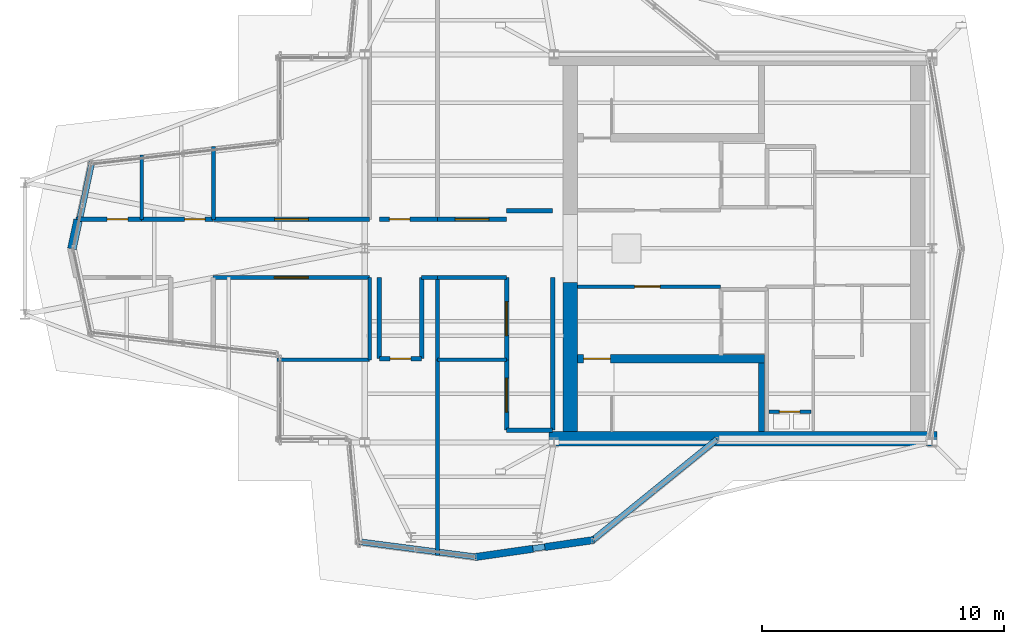
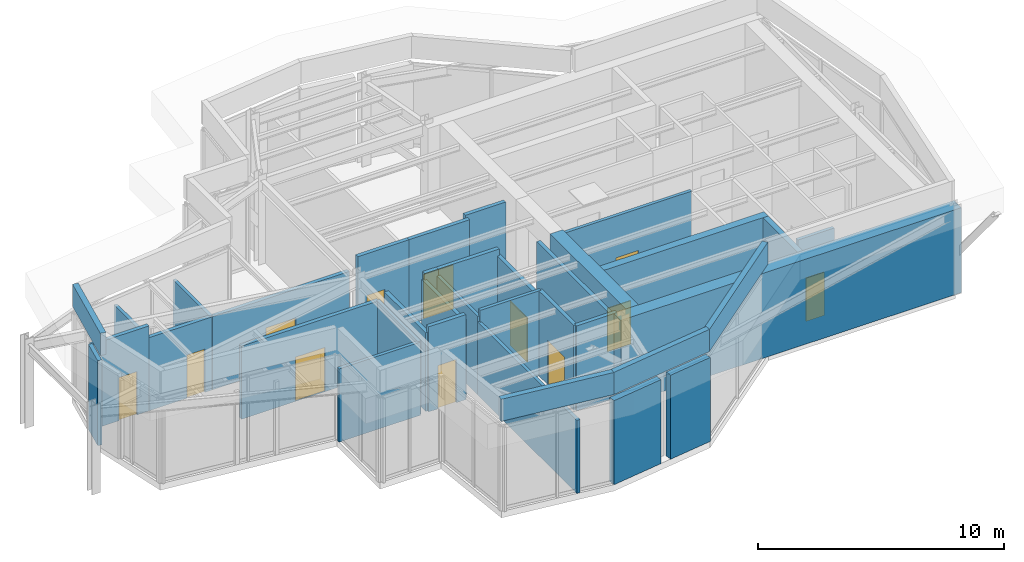
# One storey, part 9 of 11: 36 walls, 12 doors, 12 openings.
"""IFC4 building model written with IfcOpenShell, lengths in metres."""

from ifc_helpers import new_model, si_unit, direction, frame, frame_2d, origin, place, context, subcontext, project, spatial, rectangle, extrude, material, layer, layer_set, type_object, element, fill, save


model = new_model("IFC4")

# Units and contexts
model_context = context("Model", 3, precision=1e-05, world=origin(), true_north=direction((0.0, 1.0)))
body_context = subcontext(model_context, "Body", "Model", "MODEL_VIEW")
ifc_project = project(units=[si_unit("LENGTHUNIT", "METRE"), si_unit("AREAUNIT", "SQUARE_METRE"), si_unit("VOLUMEUNIT", "CUBIC_METRE"), si_unit("PLANEANGLEUNIT", "RADIAN"), si_unit("MASSUNIT", "GRAM", prefix="KILO")], contexts=[model_context])

# Site, building, storey
site_placement = place(None, origin())
site = spatial("IfcSite", under=ifc_project, at=site_placement, CompositionType="ELEMENT")
building_placement = place(site_placement, origin())
building = spatial("IfcBuilding", under=site, at=building_placement, Name="Veymaron Broadcast Tower", CompositionType="ELEMENT")
storey_placement = place(building_placement, frame((0.0, 0.0, 336.89990234375)))
storey = spatial("IfcBuildingStorey", under=building, at=storey_placement, Name="L79", CompositionType="ELEMENT", Elevation=336.89990234375)

# Walls
ifc_material_1 = material(Name="Precast concrete C40/50 with mineral-wool insulation", Category="concrete")
ifc_layer_1 = layer(ifc_material_1, 0.300048828125)
ifc_layer_set_1 = layer_set([ifc_layer_1], Name="Precast concrete C40/50 with mineral-wool insulation")
wall_type_1 = type_object("IfcWallType", Name="WALL-EXT-300", PredefinedType="STANDARD", material=ifc_layer_set_1)
wall_1_placement = place(storey_placement, frame((35.732177734375, 11.2666015625, 0.0), z_axis=(0.0, 0.0, 1.0), x_axis=(0.989917298502, 0.141646539412, 0.0)))
element("IfcWall", 1, at=wall_1_placement, inside=storey, type_object=wall_type_1, Name="L79 crown plant enclosure wall 19-1", PredefinedType="STANDARD", context=body_context, shape_type="SweptSolid", body=[
    extrude(rectangle(XDim=2.428466796875, YDim=0.300048828125, at=frame_2d((1.21435546875, 0.0))), origin(), (0.0, 0.0, 1.0), 4.170166015625),
])
wall_2_placement = place(storey_placement, frame((38.6279296875, 11.680908203125, 0.0), z_axis=(0.0, 0.0, 1.0), x_axis=(0.989904067126, 0.141738978007, 0.0)))
element("IfcWall", 2, at=wall_2_placement, inside=storey, type_object=wall_type_1, Name="L79 crown plant enclosure wall 19-2", PredefinedType="STANDARD", context=body_context, shape_type="SweptSolid", body=[
    extrude(rectangle(XDim=2.044677734375, YDim=0.300048828125, at=frame_2d((1.0224609375, 0.0))), origin(), (0.0, 0.0, 1.0), 4.170166015625),
])

# Wall, opening, door
ifc_material_2 = material(Name="Gypsum fireboard and steel stud framing", Category="steel")
ifc_layer_2 = layer(ifc_material_2, 0.14990234375)
ifc_layer_set_2 = layer_set([ifc_layer_2], Name="Gypsum fireboard and steel stud framing")
wall_type_2 = type_object("IfcWallType", Name="WALL-FIRE-150", PredefinedType="PARTITIONING", material=ifc_layer_set_2)
wall_3_placement = place(storey_placement, frame((39.97998046875, 22.425048828125, 0.0), z_axis=(0.0, 0.0, 1.0), x_axis=(1.0, 0.0, 0.0)))
wall_3 = element("IfcWall", 3, at=wall_3_placement, inside=storey, type_object=wall_type_2, Name="L79 partition IW-L79-FFLS-N", PredefinedType="PARTITIONING", context=body_context, shape_type="SweptSolid", body=[
    extrude(rectangle(XDim=5.89990234375, YDim=0.14990234375, at=frame_2d((2.949951171875, 0.0))), origin(), (0.0, 0.0, 1.0), 4.22021484375),
])
opening_1_placement = place(wall_3_placement, frame((2.35009765625, 0.0, 0.0)))
opening_1 = element("IfcOpeningElement", 4, at=opening_1_placement, cuts=wall_3, Name="Opening ID-FL1", PredefinedType="OPENING", context=body_context, shape_type="SweptSolid", body=[
    extrude(rectangle(XDim=1.050048828125, YDim=2.14990234375, at=frame_2d((0.52490234375, 1.074951171875))), frame((0.0, 0.0849609375, 0.0), z_axis=(0.0, -1.0, 0.0), x_axis=(1.0, 0.0, 0.0)), (0.0, 0.0, 1.0), 0.169921875),
])
ifc_material_3 = material(Name="Fire-rated painted hollow steel ASTM A653", Category="steel")
door_type_1 = type_object("IfcDoorType", Name="DOOR-FIRE-1050", OperationType="NOTDEFINED", PredefinedType="DOOR", material=ifc_material_3)
door_1_placement = place(opening_1_placement, frame((1.050048828125, 0.0, 0.0), z_axis=(0.0, 0.0, 1.0), x_axis=(-1.0, 0.0, 0.0)))
door_1 = element("IfcDoor", 5, at=door_1_placement, inside=storey, type_object=door_type_1, Name="L79 door DR-L79-FFLS", OperationType="SINGLE_SWING_RIGHT", OverallHeight=2.14990234375, OverallWidth=1.050048828125, PredefinedType="DOOR", context=body_context, shape_type="SweptSolid", body=[
    extrude(rectangle(XDim=1.050048828125, YDim=2.14990234375, at=frame_2d((0.52490234375, 1.074951171875))), frame((0.0, 0.02490234375, 0.0), z_axis=(0.0, -1.0, 0.0), x_axis=(1.0, 0.0, 0.0)), (0.0, 0.0, 1.0), 0.050048828125),
])
fill(opening_1, door_1)

wall_4_placement = place(storey_placement, frame((47.8798828125, 17.260009765625, 0.0), z_axis=(0.0, 0.0, 1.0), x_axis=(1.0, 0.0, 0.0)))
wall_4 = element("IfcWall", 6, at=wall_4_placement, inside=storey, type_object=wall_type_2, Name="L79 partition IW-L79-RIS-N", PredefinedType="PARTITIONING", context=body_context, shape_type="SweptSolid", body=[
    extrude(rectangle(XDim=1.72021484375, YDim=0.14990234375, at=frame_2d((0.860107421875, 0.0))), origin(), (0.0, 0.0, 1.0), 4.22021484375),
])
opening_2_placement = place(wall_4_placement, frame((0.419921875, 0.0, 0.0)))
opening_2 = element("IfcOpeningElement", 7, at=opening_2_placement, cuts=wall_4, Name="Opening ID-RS1", PredefinedType="OPENING", context=body_context, shape_type="SweptSolid", body=[
    extrude(rectangle(XDim=0.85009765625, YDim=2.14990234375, at=frame_2d((0.425048828125, 1.074951171875))), frame((0.0, 0.0849609375, 0.0), z_axis=(0.0, -1.0, 0.0), x_axis=(1.0, 0.0, 0.0)), (0.0, 0.0, 1.0), 0.169921875),
])
ifc_material_4 = material(Name="Fire-rated powder-coated steel riser leaf", Category="steel")
door_type_2 = type_object("IfcDoorType", Name="DOOR-RIS-850", OperationType="NOTDEFINED", PredefinedType="TRAPDOOR", material=ifc_material_4)
door_2_placement = place(opening_2_placement, origin())
door_2 = element("IfcDoor", 8, at=door_2_placement, inside=storey, type_object=door_type_2, Name="L79 door DR-L79-RIS", OperationType="SINGLE_SWING_LEFT", OverallHeight=2.14990234375, OverallWidth=0.85009765625, PredefinedType="TRAPDOOR", context=body_context, shape_type="SweptSolid", body=[
    extrude(rectangle(XDim=0.85009765625, YDim=2.14990234375, at=frame_2d((0.425048828125, 1.074951171875))), frame((0.0, 0.02490234375, 0.0), z_axis=(0.0, -1.0, 0.0), x_axis=(1.0, 0.0, 0.0)), (0.0, 0.0, 1.0), 0.050048828125),
])
fill(opening_2, door_2)

ifc_material_5 = material(Name="Concrete C40/50", Category="concrete")
ifc_layer_3 = layer(ifc_material_5, 0.179931640625)
ifc_layer_set_3 = layer_set([ifc_layer_3], Name="Concrete C40/50")
wall_type_3 = type_object("IfcWallType", Name="WALL-FIRE-180", PredefinedType="SOLIDWALL", material=ifc_layer_set_3)
wall_5_placement = place(storey_placement, frame((37.050048828125, 16.5, 0.0), z_axis=(0.0, 0.0, 1.0), x_axis=(0.0, 1.0, 0.0)))
wall_5 = element("IfcWall", 9, at=wall_5_placement, inside=storey, type_object=wall_type_3, Name="L79 partition IW-L79-P02", PredefinedType="SOLIDWALL", context=body_context, shape_type="SweptSolid", body=[
    extrude(rectangle(XDim=2.89990234375, YDim=0.179931640625, at=frame_2d((1.449951171875, 0.0))), origin(), (0.0, 0.0, 1.0), 4.22021484375),
])
opening_3_placement = place(wall_5_placement, frame((0.75, 0.0, 0.0)))
opening_3 = element("IfcOpeningElement", 10, at=opening_3_placement, cuts=wall_5, Name="Opening ID-PL1", PredefinedType="OPENING", context=body_context, shape_type="SweptSolid", body=[
    extrude(rectangle(XDim=1.39990234375, YDim=2.199951171875, at=frame_2d((0.699951171875, 1.10009765625))), frame((0.0, 0.10009765625, 0.0), z_axis=(0.0, -1.0, 0.0), x_axis=(1.0, 0.0, 0.0)), (0.0, 0.0, 1.0), 0.199951171875),
])
ifc_material_6 = material(Name="Heavy-duty acoustic galvanized steel", Category="steel")
door_type_3 = type_object("IfcDoorType", Name="DOOR-PLANT-1400", OperationType="DOUBLE_DOOR_SINGLE_SWING", PredefinedType="DOOR", material=ifc_material_6)
door_3_placement = place(opening_3_placement, origin())
door_3 = element("IfcDoor", 11, at=door_3_placement, inside=storey, type_object=door_type_3, Name="L79 door DR-L79-P02", OperationType="SINGLE_SWING_LEFT", OverallHeight=2.199951171875, OverallWidth=1.39990234375, PredefinedType="DOOR", context=body_context, shape_type="SweptSolid", body=[
    extrude(rectangle(XDim=1.39990234375, YDim=2.199951171875, at=frame_2d((0.699951171875, 1.10009765625))), frame((0.0, 0.02490234375, 0.0), z_axis=(0.0, -1.0, 0.0), x_axis=(1.0, 0.0, 0.0)), (0.0, 0.0, 1.0), 0.050048828125),
])
fill(opening_3, door_3)

wall_6_placement = place(storey_placement, frame((31.800048828125, 19.449951171875, 0.0), z_axis=(0.0, 0.0, 1.0), x_axis=(1.0, 0.0, 0.0)))
wall_6 = element("IfcWall", 12, at=wall_6_placement, inside=storey, type_object=wall_type_3, Name="L79 partition IW-L79-P06", PredefinedType="SOLIDWALL", context=body_context, shape_type="SweptSolid", body=[
    extrude(rectangle(XDim=1.75, YDim=0.179931640625, at=frame_2d((0.875, 0.0))), origin(), (0.0, 0.0, 1.0), 4.22021484375),
])
opening_4_placement = place(wall_6_placement, frame((0.449951171875, 0.0, 0.0)))
opening_4 = element("IfcOpeningElement", 13, at=opening_4_placement, cuts=wall_6, Name="Opening ID-WC1", PredefinedType="OPENING", context=body_context, shape_type="SweptSolid", body=[
    extrude(rectangle(XDim=0.85009765625, YDim=2.14990234375, at=frame_2d((0.425048828125, 1.074951171875))), frame((0.0, 0.10009765625, 0.0), z_axis=(0.0, -1.0, 0.0), x_axis=(1.0, 0.0, 0.0)), (0.0, 0.0, 1.0), 0.199951171875),
])
ifc_material_7 = material(Name="Moisture-resistant high-pressure laminate timber", Category="wood")
door_type_4 = type_object("IfcDoorType", Name="DOOR-INT-850", OperationType="NOTDEFINED", PredefinedType="DOOR", material=ifc_material_7)
door_4_placement = place(opening_4_placement, frame((0.85009765625, 0.0, 0.0), z_axis=(0.0, 0.0, 1.0), x_axis=(-1.0, 0.0, 0.0)))
door_4 = element("IfcDoor", 14, at=door_4_placement, inside=storey, type_object=door_type_4, Name="L79 door DR-L79-P06", OperationType="SINGLE_SWING_LEFT", OverallHeight=2.14990234375, OverallWidth=0.85009765625, PredefinedType="DOOR", context=body_context, shape_type="SweptSolid", body=[
    extrude(rectangle(XDim=0.85009765625, YDim=2.14990234375, at=frame_2d((0.425048828125, 1.074951171875))), frame((0.0, 0.02490234375, 0.0), z_axis=(0.0, -1.0, 0.0), x_axis=(1.0, 0.0, 0.0)), (0.0, 0.0, 1.0), 0.050048828125),
])
fill(opening_4, door_4)

wall_7_placement = place(storey_placement, frame((37.050048828125, 19.39990234375, 0.0), z_axis=(0.0, 0.0, 1.0), x_axis=(0.0, 1.0, 0.0)))
wall_7 = element("IfcWall", 15, at=wall_7_placement, inside=storey, type_object=wall_type_3, Name="L79 partition IW-L79-P08", PredefinedType="SOLIDWALL", context=body_context, shape_type="SweptSolid", body=[
    extrude(rectangle(XDim=3.400146484375, YDim=0.179931640625, at=frame_2d((1.7001953125, 0.0))), origin(), (0.0, 0.0, 1.0), 3.900146484375),
])
opening_5_placement = place(wall_7_placement, frame((1.0, 0.0, 0.0)))
opening_5 = element("IfcOpeningElement", 16, at=opening_5_placement, cuts=wall_7, Name="Opening ID-PL1", PredefinedType="OPENING", context=body_context, shape_type="SweptSolid", body=[
    extrude(rectangle(XDim=1.39990234375, YDim=2.199951171875, at=frame_2d((0.699951171875, 1.10009765625))), frame((0.0, 0.10009765625, 0.0), z_axis=(0.0, -1.0, 0.0), x_axis=(1.0, 0.0, 0.0)), (0.0, 0.0, 1.0), 0.199951171875),
])
door_5_placement = place(opening_5_placement, origin())
door_5 = element("IfcDoor", 17, at=door_5_placement, inside=storey, type_object=door_type_3, Name="L79 door DR-L79-P08", OperationType="SINGLE_SWING_LEFT", OverallHeight=2.199951171875, OverallWidth=1.39990234375, PredefinedType="DOOR", context=body_context, shape_type="SweptSolid", body=[
    extrude(rectangle(XDim=1.39990234375, YDim=2.199951171875, at=frame_2d((0.699951171875, 1.10009765625))), frame((0.0, 0.02490234375, 0.0), z_axis=(0.0, -1.0, 0.0), x_axis=(1.0, 0.0, 0.0)), (0.0, 0.0, 1.0), 0.050048828125),
])
fill(opening_5, door_5)

wall_8_placement = place(storey_placement, frame((24.949951171875, 22.800048828125, 0.0), z_axis=(0.0, 0.0, 1.0), x_axis=(1.0, 0.0, 0.0)))
wall_8 = element("IfcWall", 18, at=wall_8_placement, inside=storey, type_object=wall_type_3, Name="L79 partition IW-L79-P10", PredefinedType="SOLIDWALL", context=body_context, shape_type="SweptSolid", body=[
    extrude(rectangle(XDim=6.449951171875, YDim=0.179931640625, at=frame_2d((3.22509765625, 0.0))), origin(), (0.0, 0.0, 1.0), 3.630126953125),
])
opening_6_placement = place(wall_8_placement, frame((2.52490234375, 0.0, 0.0)))
opening_6 = element("IfcOpeningElement", 19, at=opening_6_placement, cuts=wall_8, Name="Opening ID-PL1", PredefinedType="OPENING", context=body_context, shape_type="SweptSolid", body=[
    extrude(rectangle(XDim=1.39990234375, YDim=2.199951171875, at=frame_2d((0.699951171875, 1.10009765625))), frame((0.0, 0.10009765625, 0.0), z_axis=(0.0, -1.0, 0.0), x_axis=(1.0, 0.0, 0.0)), (0.0, 0.0, 1.0), 0.199951171875),
])
door_6_placement = place(opening_6_placement, frame((1.39990234375, 0.0, 0.0), z_axis=(0.0, 0.0, 1.0), x_axis=(-1.0, 0.0, 0.0)))
door_6 = element("IfcDoor", 20, at=door_6_placement, inside=storey, type_object=door_type_3, Name="L79 door DR-L79-P10", OperationType="SINGLE_SWING_LEFT", OverallHeight=2.199951171875, OverallWidth=1.39990234375, PredefinedType="DOOR", context=body_context, shape_type="SweptSolid", body=[
    extrude(rectangle(XDim=1.39990234375, YDim=2.199951171875, at=frame_2d((0.699951171875, 1.10009765625))), frame((0.0, 0.02490234375, 0.0), z_axis=(0.0, -1.0, 0.0), x_axis=(1.0, 0.0, 0.0)), (0.0, 0.0, 1.0), 0.050048828125),
])
fill(opening_6, door_6)

wall_9_placement = place(storey_placement, frame((19.288330078125, 25.199951171875, 0.0), z_axis=(0.0, 0.0, 1.0), x_axis=(1.0, 0.0, 0.0)))
wall_9 = element("IfcWall", 21, at=wall_9_placement, inside=storey, type_object=wall_type_3, Name="L79 partition IW-L79-P15", PredefinedType="SOLIDWALL", context=body_context, shape_type="SweptSolid", body=[
    extrude(rectangle(XDim=2.711669921875, YDim=0.179931640625, at=frame_2d((1.35595703125, 0.0))), origin(), (0.0, 0.0, 1.0), 4.22021484375),
])
opening_7_placement = place(wall_9_placement, frame((1.291015625, 0.0, 0.0)))
opening_7 = element("IfcOpeningElement", 22, at=opening_7_placement, cuts=wall_9, Name="Opening ID-WC1", PredefinedType="OPENING", context=body_context, shape_type="SweptSolid", body=[
    extrude(rectangle(XDim=0.85009765625, YDim=2.14990234375, at=frame_2d((0.425048828125, 1.074951171875))), frame((0.0, 0.10009765625, 0.0), z_axis=(0.0, -1.0, 0.0), x_axis=(1.0, 0.0, 0.0)), (0.0, 0.0, 1.0), 0.199951171875),
])
door_7_placement = place(opening_7_placement, origin())
door_7 = element("IfcDoor", 23, at=door_7_placement, inside=storey, type_object=door_type_4, Name="L79 door DR-L79-P15", OperationType="SINGLE_SWING_RIGHT", OverallHeight=2.14990234375, OverallWidth=0.85009765625, PredefinedType="DOOR", context=body_context, shape_type="SweptSolid", body=[
    extrude(rectangle(XDim=0.85009765625, YDim=2.14990234375, at=frame_2d((0.425048828125, 1.074951171875))), frame((0.0, 0.02490234375, 0.0), z_axis=(0.0, -1.0, 0.0), x_axis=(1.0, 0.0, 0.0)), (0.0, 0.0, 1.0), 0.050048828125),
])
fill(opening_7, door_7)

wall_10_placement = place(storey_placement, frame((22.0, 25.199951171875, 0.0), z_axis=(0.0, 0.0, 1.0), x_axis=(1.0, 0.0, 0.0)))
wall_10 = element("IfcWall", 24, at=wall_10_placement, inside=storey, type_object=wall_type_3, Name="L79 partition IW-L79-P17", PredefinedType="SOLIDWALL", context=body_context, shape_type="SweptSolid", body=[
    extrude(rectangle(XDim=2.949951171875, YDim=0.179931640625, at=frame_2d((1.47509765625, 0.0))), origin(), (0.0, 0.0, 1.0), 3.630126953125),
])
opening_8_placement = place(wall_10_placement, frame((1.77001953125, 0.0, 0.0)))
opening_8 = element("IfcOpeningElement", 25, at=opening_8_placement, cuts=wall_10, Name="Opening ID-WC1", PredefinedType="OPENING", context=body_context, shape_type="SweptSolid", body=[
    extrude(rectangle(XDim=0.85009765625, YDim=2.14990234375, at=frame_2d((0.425048828125, 1.074951171875))), frame((0.0, 0.10009765625, 0.0), z_axis=(0.0, -1.0, 0.0), x_axis=(1.0, 0.0, 0.0)), (0.0, 0.0, 1.0), 0.199951171875),
])
door_8_placement = place(opening_8_placement, origin())
door_8 = element("IfcDoor", 26, at=door_8_placement, inside=storey, type_object=door_type_4, Name="L79 door DR-L79-P17", OperationType="SINGLE_SWING_RIGHT", OverallHeight=2.14990234375, OverallWidth=0.85009765625, PredefinedType="DOOR", context=body_context, shape_type="SweptSolid", body=[
    extrude(rectangle(XDim=0.85009765625, YDim=2.14990234375, at=frame_2d((0.425048828125, 1.074951171875))), frame((0.0, 0.02490234375, 0.0), z_axis=(0.0, -1.0, 0.0), x_axis=(1.0, 0.0, 0.0)), (0.0, 0.0, 1.0), 0.050048828125),
])
fill(opening_8, door_8)

wall_11_placement = place(storey_placement, frame((24.9599609375, 25.199951171875, 0.0), z_axis=(0.0, 0.0, 1.0), x_axis=(1.0, 0.0, 0.0)))
wall_11 = element("IfcWall", 27, at=wall_11_placement, inside=storey, type_object=wall_type_3, Name="L79 partition IW-L79-P18", PredefinedType="SOLIDWALL", context=body_context, shape_type="SweptSolid", body=[
    extrude(rectangle(XDim=6.43994140625, YDim=0.179931640625, at=frame_2d((3.219970703125, 0.0))), origin(), (0.0, 0.0, 1.0), 3.630126953125),
])
opening_9_placement = place(wall_11_placement, frame((2.52001953125, 0.0, 0.0)))
opening_9 = element("IfcOpeningElement", 28, at=opening_9_placement, cuts=wall_11, Name="Opening ID-PL1", PredefinedType="OPENING", context=body_context, shape_type="SweptSolid", body=[
    extrude(rectangle(XDim=1.39990234375, YDim=2.199951171875, at=frame_2d((0.699951171875, 1.10009765625))), frame((0.0, 0.10009765625, 0.0), z_axis=(0.0, -1.0, 0.0), x_axis=(1.0, 0.0, 0.0)), (0.0, 0.0, 1.0), 0.199951171875),
])
door_9_placement = place(opening_9_placement, origin())
door_9 = element("IfcDoor", 29, at=door_9_placement, inside=storey, type_object=door_type_3, Name="L79 door DR-L79-P18", OperationType="SINGLE_SWING_LEFT", OverallHeight=2.199951171875, OverallWidth=1.39990234375, PredefinedType="DOOR", context=body_context, shape_type="SweptSolid", body=[
    extrude(rectangle(XDim=1.39990234375, YDim=2.199951171875, at=frame_2d((0.699951171875, 1.10009765625))), frame((0.0, 0.02490234375, 0.0), z_axis=(0.0, -1.0, 0.0), x_axis=(1.0, 0.0, 0.0)), (0.0, 0.0, 1.0), 0.050048828125),
])
fill(opening_9, door_9)

wall_12_placement = place(storey_placement, frame((31.800048828125, 25.199951171875, 0.0), z_axis=(0.0, 0.0, 1.0), x_axis=(1.0, 0.0, 0.0)))
wall_12 = element("IfcWall", 30, at=wall_12_placement, inside=storey, type_object=wall_type_3, Name="L79 partition IW-L79-P19", PredefinedType="SOLIDWALL", context=body_context, shape_type="SweptSolid", body=[
    extrude(rectangle(XDim=2.39990234375, YDim=0.179931640625, at=frame_2d((1.199951171875, 0.0))), origin(), (0.0, 0.0, 1.0), 4.22021484375),
])
opening_10_placement = place(wall_12_placement, frame((0.4150390625, 0.0, 0.0)))
opening_10 = element("IfcOpeningElement", 31, at=opening_10_placement, cuts=wall_12, Name="Opening ID-WC1", PredefinedType="OPENING", context=body_context, shape_type="SweptSolid", body=[
    extrude(rectangle(XDim=0.85009765625, YDim=2.14990234375, at=frame_2d((0.425048828125, 1.074951171875))), frame((0.0, 0.10009765625, 0.0), z_axis=(0.0, -1.0, 0.0), x_axis=(1.0, 0.0, 0.0)), (0.0, 0.0, 1.0), 0.199951171875),
])
door_10_placement = place(opening_10_placement, origin())
door_10 = element("IfcDoor", 32, at=door_10_placement, inside=storey, type_object=door_type_4, Name="L79 door DR-L79-P19", OperationType="SINGLE_SWING_RIGHT", OverallHeight=2.14990234375, OverallWidth=0.85009765625, PredefinedType="DOOR", context=body_context, shape_type="SweptSolid", body=[
    extrude(rectangle(XDim=0.85009765625, YDim=2.14990234375, at=frame_2d((0.425048828125, 1.074951171875))), frame((0.0, 0.02490234375, 0.0), z_axis=(0.0, -1.0, 0.0), x_axis=(1.0, 0.0, 0.0)), (0.0, 0.0, 1.0), 0.050048828125),
])
fill(opening_10, door_10)

wall_13_placement = place(storey_placement, frame((34.199951171875, 25.199951171875, 0.0), z_axis=(0.0, 0.0, 1.0), x_axis=(1.0, 0.0, 0.0)))
wall_13 = element("IfcWall", 33, at=wall_13_placement, inside=storey, type_object=wall_type_3, Name="L79 partition IW-L79-P20", PredefinedType="SOLIDWALL", context=body_context, shape_type="SweptSolid", body=[
    extrude(rectangle(XDim=2.85009765625, YDim=0.179931640625, at=frame_2d((1.425048828125, 0.0))), origin(), (0.0, 0.0, 1.0), 4.22021484375),
])
opening_11_placement = place(wall_13_placement, frame((0.72509765625, 0.0, 0.0)))
opening_11 = element("IfcOpeningElement", 34, at=opening_11_placement, cuts=wall_13, Name="Opening ID-PL1", PredefinedType="OPENING", context=body_context, shape_type="SweptSolid", body=[
    extrude(rectangle(XDim=1.39990234375, YDim=2.199951171875, at=frame_2d((0.699951171875, 1.10009765625))), frame((0.0, 0.10009765625, 0.0), z_axis=(0.0, -1.0, 0.0), x_axis=(1.0, 0.0, 0.0)), (0.0, 0.0, 1.0), 0.199951171875),
])
door_11_placement = place(opening_11_placement, origin())
door_11 = element("IfcDoor", 35, at=door_11_placement, inside=storey, type_object=door_type_3, Name="L79 door DR-L79-P20", OperationType="SINGLE_SWING_LEFT", OverallHeight=2.199951171875, OverallWidth=1.39990234375, PredefinedType="DOOR", context=body_context, shape_type="SweptSolid", body=[
    extrude(rectangle(XDim=1.39990234375, YDim=2.199951171875, at=frame_2d((0.699951171875, 1.10009765625))), frame((0.0, 0.02490234375, 0.0), z_axis=(0.0, -1.0, 0.0), x_axis=(1.0, 0.0, 0.0)), (0.0, 0.0, 1.0), 0.050048828125),
])
fill(opening_11, door_11)

# Walls
wall_14_placement = place(storey_placement, frame((38.949951171875, 16.5, 0.0), z_axis=(0.0, 0.0, 1.0), x_axis=(0.0, 1.0, 0.0)))
element("IfcWall", 36, at=wall_14_placement, inside=storey, type_object=wall_type_3, Name="L79 partition IW-L79-P01", PredefinedType="SOLIDWALL", context=body_context, shape_type="SweptSolid", body=[
    extrude(rectangle(XDim=6.300048828125, YDim=0.179931640625, at=frame_2d((3.14990234375, 0.0))), origin(), (0.0, 0.0, 1.0), 3.900146484375),
])
wall_15_placement = place(storey_placement, frame((37.050048828125, 16.5, 0.0), z_axis=(0.0, 0.0, 1.0), x_axis=(1.0, 0.0, 0.0)))
element("IfcWall", 37, at=wall_15_placement, inside=storey, type_object=wall_type_3, Name="L79 partition IW-L79-P03", PredefinedType="SOLIDWALL", context=body_context, shape_type="SweptSolid", body=[
    extrude(rectangle(XDim=1.89990234375, YDim=0.179931640625, at=frame_2d((0.949951171875, 0.0))), origin(), (0.0, 0.0, 1.0), 4.22021484375),
])
for number, where, z_axis, x_axis, name in (
    (38, (33.550048828125, 19.449951171875, 0.0), (0.0, 0.0, 1.0), (0.0, 1.0, 0.0), "L79 partition IW-L79-P04"),
    (39, (31.800048828125, 19.449951171875, 0.0), (0.0, 0.0, 1.0), (0.0, 1.0, 0.0), "L79 partition IW-L79-P05"),
):
    element("IfcWall", number, at=place(storey_placement, frame(where, z_axis=z_axis, x_axis=x_axis)), inside=storey, type_object=wall_type_3, Name=name, PredefinedType="SOLIDWALL", context=body_context, shape_type="SweptSolid", body=[
        extrude(rectangle(XDim=3.35009765625, YDim=0.179931640625, at=frame_2d((1.675048828125, 0.0))), origin(), (0.0, 0.0, 1.0), 3.900146484375),
    ])
wall_16_placement = place(storey_placement, frame((33.550048828125, 22.800048828125, 0.0), z_axis=(0.0, 0.0, 1.0), x_axis=(1.0, 0.0, 0.0)))
element("IfcWall", 40, at=wall_16_placement, inside=storey, type_object=wall_type_3, Name="L79 partition IW-L79-P07", PredefinedType="SOLIDWALL", context=body_context, shape_type="SweptSolid", body=[
    extrude(rectangle(XDim=0.64990234375, YDim=0.179931640625, at=frame_2d((0.324951171875, 0.0))), origin(), (0.0, 0.0, 1.0), 4.22021484375),
])
wall_17_placement = place(storey_placement, frame((34.199951171875, 22.800048828125, 0.0), z_axis=(0.0, 0.0, 1.0), x_axis=(1.0, 0.0, 0.0)))
element("IfcWall", 41, at=wall_17_placement, inside=storey, type_object=wall_type_3, Name="L79 partition IW-L79-P09", PredefinedType="SOLIDWALL", context=body_context, shape_type="SweptSolid", body=[
    extrude(rectangle(XDim=2.85009765625, YDim=0.179931640625, at=frame_2d((1.425048828125, 0.0))), origin(), (0.0, 0.0, 1.0), 4.22021484375),
])
wall_18_placement = place(storey_placement, frame((19.031982421875, 24.0, 0.0), z_axis=(0.0, 0.0, 1.0), x_axis=(0.208917581669, 0.977933251336, 0.0)))
element("IfcWall", 42, at=wall_18_placement, inside=storey, type_object=wall_type_3, Name="L79 partition IW-L79-P16", PredefinedType="SOLIDWALL", context=body_context, shape_type="SweptSolid", body=[
    extrude(rectangle(XDim=1.22705078125, YDim=0.179931640625, at=frame_2d((0.613525390625, 0.0))), origin(), (0.0, 0.0, 1.0), 4.22021484375),
])
wall_19_placement = place(storey_placement, frame((37.050048828125, 25.550048828125, 0.0), z_axis=(0.0, 0.0, 1.0), x_axis=(1.0, 0.0, 0.0)))
element("IfcWall", 43, at=wall_19_placement, inside=storey, type_object=wall_type_3, Name="L79 partition IW-L79-P21", PredefinedType="SOLIDWALL", context=body_context, shape_type="SweptSolid", body=[
    extrude(rectangle(XDim=1.89990234375, YDim=0.179931640625, at=frame_2d((0.949951171875, 0.0))), origin(), (0.0, 0.0, 1.0), 4.22021484375),
])
ifc_material_8 = material(Name="Fire-rated laminated glass in aluminium frame", Category="aluminium")
ifc_layer_4 = layer(ifc_material_8, 0.14990234375)
ifc_layer_set_4 = layer_set([ifc_layer_4], Name="Fire-rated laminated glass in aluminium frame")
wall_type_4 = type_object("IfcWallType", Name="WALL-GLZ-150", PredefinedType="MOVABLE", material=ifc_layer_set_4)
wall_20_placement = place(storey_placement, frame((34.199951171875, 11.329833984375, 0.0), z_axis=(0.0, 0.0, 1.0), x_axis=(0.0, 1.0, 0.0)))
element("IfcWall", 44, at=wall_20_placement, inside=storey, type_object=wall_type_4, Name="L79 partition IW-L79-P22", PredefinedType="MOVABLE", context=body_context, shape_type="SweptSolid", body=[
    extrude(rectangle(XDim=8.070068359375, YDim=0.14990234375, at=frame_2d((4.03515625, 0.0))), origin(), (0.0, 0.0, 1.0), 3.630126953125),
])
wall_21_placement = place(storey_placement, frame((34.199951171875, 19.39990234375, 0.0), z_axis=(0.0, 0.0, 1.0), x_axis=(1.0, 0.0, 0.0)))
element("IfcWall", 45, at=wall_21_placement, inside=storey, type_object=wall_type_4, Name="L79 partition IW-L79-P23", PredefinedType="MOVABLE", context=body_context, shape_type="SweptSolid", body=[
    extrude(rectangle(XDim=2.85009765625, YDim=0.14990234375, at=frame_2d((1.425048828125, 0.0))), origin(), (0.0, 0.0, 1.0), 4.22021484375),
])
wall_22_placement = place(storey_placement, frame((34.199951171875, 19.39990234375, 0.0), z_axis=(0.0, 0.0, 1.0), x_axis=(0.0, 1.0, 0.0)))
element("IfcWall", 46, at=wall_22_placement, inside=storey, type_object=wall_type_4, Name="L79 partition IW-L79-P24", PredefinedType="MOVABLE", context=body_context, shape_type="SweptSolid", body=[
    extrude(rectangle(XDim=3.400146484375, YDim=0.14990234375, at=frame_2d((1.7001953125, 0.0))), origin(), (0.0, 0.0, 1.0), 3.900146484375),
])
wall_23_placement = place(storey_placement, frame((27.575927734375, 19.39990234375, 0.0), z_axis=(0.0, 0.0, 1.0), x_axis=(1.0, 0.0, 0.0)))
element("IfcWall", 47, at=wall_23_placement, inside=storey, type_object=wall_type_4, Name="L79 partition IW-L79-P25", PredefinedType="MOVABLE", context=body_context, shape_type="SweptSolid", body=[
    extrude(rectangle(XDim=3.823974609375, YDim=0.14990234375, at=frame_2d((1.912109375, 0.0))), origin(), (0.0, 0.0, 1.0), 3.630126953125),
])
wall_24_placement = place(storey_placement, frame((31.39990234375, 19.39990234375, 0.0), z_axis=(0.0, 0.0, 1.0), x_axis=(0.0, 1.0, 0.0)))
element("IfcWall", 48, at=wall_24_placement, inside=storey, type_object=wall_type_4, Name="L79 partition IW-L79-P26", PredefinedType="MOVABLE", context=body_context, shape_type="SweptSolid", body=[
    extrude(rectangle(XDim=3.400146484375, YDim=0.14990234375, at=frame_2d((1.7001953125, 0.0))), origin(), (0.0, 0.0, 1.0), 3.630126953125),
])
wall_25_placement = place(storey_placement, frame((22.0, 25.199951171875, 0.0), z_axis=(0.0, 0.0, 1.0), x_axis=(0.0, 1.0, 0.0)))
element("IfcWall", 49, at=wall_25_placement, inside=storey, type_object=wall_type_4, Name="L79 partition IW-L79-P27", PredefinedType="MOVABLE", context=body_context, shape_type="SweptSolid", body=[
    extrude(rectangle(XDim=2.650634765625, YDim=0.14990234375, at=frame_2d((1.3251953125, 0.0))), origin(), (0.0, 0.0, 1.0), 3.630126953125),
])
wall_26_placement = place(storey_placement, frame((24.9599609375, 25.199951171875, 0.0), z_axis=(0.0, 0.0, 1.0), x_axis=(0.0, 1.0, 0.0)))
element("IfcWall", 50, at=wall_26_placement, inside=storey, type_object=wall_type_4, Name="L79 partition IW-L79-P28", PredefinedType="MOVABLE", context=body_context, shape_type="SweptSolid", body=[
    extrude(rectangle(XDim=2.994384765625, YDim=0.14990234375, at=frame_2d((1.4970703125, 0.0))), origin(), (0.0, 0.0, 1.0), 3.630126953125),
])
ifc_material_9 = material(Name="Precast concrete C40/50", Category="concrete")
ifc_layer_5 = layer(ifc_material_9, 0.25)
ifc_layer_set_5 = layer_set([ifc_layer_5], Name="Precast concrete C40/50")
wall_type_5 = type_object("IfcWallType", Name="WALL-PAR-250", PredefinedType="PARAPET", material=ifc_layer_set_5)
wall_27_placement = place(storey_placement, frame((19.94677734375, 27.563720703125, 4.4501953125), z_axis=(0.0, 0.0, 1.0), x_axis=(-0.208934897811, -0.977929551899, 0.0)))
element("IfcWall", 51, at=wall_27_placement, inside=storey, type_object=wall_type_5, Name="L79 crown roof parapet wall 12", PredefinedType="PARAPET", context=body_context, shape_type="SweptSolid", body=[
    extrude(rectangle(XDim=3.676025390625, YDim=0.25, at=frame_2d((1.837890625, 0.0))), origin(), (0.0, 0.0, 1.0), 1.099853515625),
])
wall_28_placement = place(storey_placement, frame((30.851806640625, 11.916748046875, 4.4501953125), z_axis=(0.0, 0.0, 1.0), x_axis=(0.991640700932, -0.129029919996, 0.0)))
element("IfcWall", 52, at=wall_28_placement, inside=storey, type_object=wall_type_5, Name="L79 crown roof parapet wall 18", PredefinedType="PARAPET", context=body_context, shape_type="SweptSolid", body=[
    extrude(rectangle(XDim=4.961181640625, YDim=0.25, at=frame_2d((2.48046875, 0.0))), origin(), (0.0, 0.0, 1.0), 1.099853515625),
])
wall_29_placement = place(storey_placement, frame((35.730712890625, 11.276611328125, 4.4501953125), z_axis=(0.0, 0.0, 1.0), x_axis=(0.989919997097, 0.141627678608, 0.0)))
element("IfcWall", 53, at=wall_29_placement, inside=storey, type_object=wall_type_5, Name="L79 crown roof parapet wall 19", PredefinedType="PARAPET", context=body_context, shape_type="SweptSolid", body=[
    extrude(rectangle(XDim=4.9697265625, YDim=0.25, at=frame_2d((2.48486328125, 0.0))), origin(), (0.0, 0.0, 1.0), 1.099853515625),
])
wall_30_placement = place(storey_placement, frame((40.5771484375, 11.948486328125, 4.4501953125), z_axis=(0.0, 0.0, 1.0), x_axis=(0.77680744345, 0.629738196238, 0.0)))
element("IfcWall", 54, at=wall_30_placement, inside=storey, type_object=wall_type_5, Name="L79 crown roof parapet wall 20", PredefinedType="PARAPET", context=body_context, shape_type="SweptSolid", body=[
    extrude(rectangle(XDim=6.61865234375, YDim=0.25, at=frame_2d((3.309326171875, 0.0))), origin(), (0.0, 0.0, 1.0), 1.099853515625),
])
ifc_material_10 = material(Name="Concrete C50/60", Category="concrete")
ifc_layer_6 = layer(ifc_material_10, 0.25)
ifc_layer_set_6 = layer_set([ifc_layer_6], Name="Concrete C50/60")
wall_type_6 = type_object("IfcWallType", Name="WALL-SHEAR-250", PredefinedType="SHEAR", material=ifc_layer_set_6)
wall_31_placement = place(storey_placement, frame((47.56494140625, 16.449951171875, 0.0), z_axis=(0.0, 0.0, 1.0), x_axis=(0.0, 1.0, 0.0)))
element("IfcWall", 55, at=wall_31_placement, inside=storey, type_object=wall_type_6, Name="L79 Core Wall south stair east shear", PredefinedType="SHEAR", context=body_context, shape_type="SweptSolid", body=[
    extrude(rectangle(XDim=2.820068359375, YDim=0.25, at=frame_2d((1.41015625, 0.0))), origin(), (0.0, 0.0, 1.0), 4.22021484375),
])

# Wall, opening, door
ifc_layer_7 = layer(ifc_material_10, 0.35009765625)
ifc_layer_set_7 = layer_set([ifc_layer_7], Name="Concrete C50/60")
wall_type_7 = type_object("IfcWallType", Name="WALL-SHEAR-350", PredefinedType="SHEAR", material=ifc_layer_set_7)
wall_32_placement = place(storey_placement, frame((39.97998046875, 19.445068359375, 0.0), z_axis=(0.0, 0.0, 1.0), x_axis=(1.0, 0.0, 0.0)))
wall_32 = element("IfcWall", 56, at=wall_32_placement, inside=storey, type_object=wall_type_7, Name="L79 Core Wall south stair spine", PredefinedType="SHEAR", context=body_context, shape_type="SweptSolid", body=[
    extrude(rectangle(XDim=7.7099609375, YDim=0.35009765625, at=frame_2d((3.85498046875, 0.0))), origin(), (0.0, 0.0, 1.0), 4.22021484375),
])
opening_12_placement = place(wall_32_placement, frame((0.25, 0.0, 0.0)))
opening_12 = element("IfcOpeningElement", 57, at=opening_12_placement, cuts=wall_32, Name="Opening ID-ST1", PredefinedType="OPENING", context=body_context, shape_type="SweptSolid", body=[
    extrude(rectangle(XDim=1.10009765625, YDim=2.14990234375, at=frame_2d((0.550048828125, 1.074951171875))), frame((0.0, 0.18505859375, 0.0), z_axis=(0.0, -1.0, 0.0), x_axis=(1.0, 0.0, 0.0)), (0.0, 0.0, 1.0), 0.3701171875),
])
door_type_5 = type_object("IfcDoorType", Name="DOOR-STAIR-1100", OperationType="NOTDEFINED", PredefinedType="DOOR", material=ifc_material_3)
door_12_placement = place(opening_12_placement, frame((1.10009765625, 0.0, 0.0), z_axis=(0.0, 0.0, 1.0), x_axis=(-1.0, 0.0, 0.0)))
door_12 = element("IfcDoor", 58, at=door_12_placement, inside=storey, type_object=door_type_5, Name="L79 exit stair ST2 fire door", OperationType="SINGLE_SWING_LEFT", OverallHeight=2.14990234375, OverallWidth=1.10009765625, PredefinedType="DOOR", context=body_context, shape_type="SweptSolid", body=[
    extrude(rectangle(XDim=1.10009765625, YDim=2.14990234375, at=frame_2d((0.550048828125, 1.074951171875))), frame((0.0, 0.02490234375, 0.0), z_axis=(0.0, -1.0, 0.0), x_axis=(1.0, 0.0, 0.0)), (0.0, 0.0, 1.0), 0.050048828125),
])
fill(opening_12, door_12)

# Walls
ifc_layer_8 = layer(ifc_material_10, 0.60009765625)
ifc_layer_set_8 = layer_set([ifc_layer_8], Name="Concrete C50/60")
wall_type_8 = type_object("IfcWallType", Name="WALL-SHEAR-600", PredefinedType="SHEAR", material=ifc_layer_set_8)
wall_33_placement = place(storey_placement, frame((38.800048828125, 16.14990234375, 0.0), z_axis=(0.0, 0.0, 1.0), x_axis=(1.0, 0.0, 0.0)))
element("IfcWall", 59, at=wall_33_placement, inside=storey, type_object=wall_type_8, Name="L79 Core Wall south shear", PredefinedType="SHEAR", context=body_context, shape_type="SweptSolid", body=[
    extrude(rectangle(XDim=16.0, YDim=0.60009765625, at=frame_2d((8.0, 0.0))), origin(), (0.0, 0.0, 1.0), 4.22021484375),
])
wall_34_placement = place(storey_placement, frame((39.679931640625, 16.449951171875, 0.0), z_axis=(0.0, 0.0, 1.0), x_axis=(0.0, 1.0, 0.0)))
element("IfcWall", 60, at=wall_34_placement, inside=storey, type_object=wall_type_8, Name="L79 Core Wall west-south shear", PredefinedType="SHEAR", context=body_context, shape_type="SweptSolid", body=[
    extrude(rectangle(XDim=6.150146484375, YDim=0.60009765625, at=frame_2d((3.0751953125, 0.0))), origin(), (0.0, 0.0, 1.0), 4.22021484375),
])

save(model, "model.ifc")
